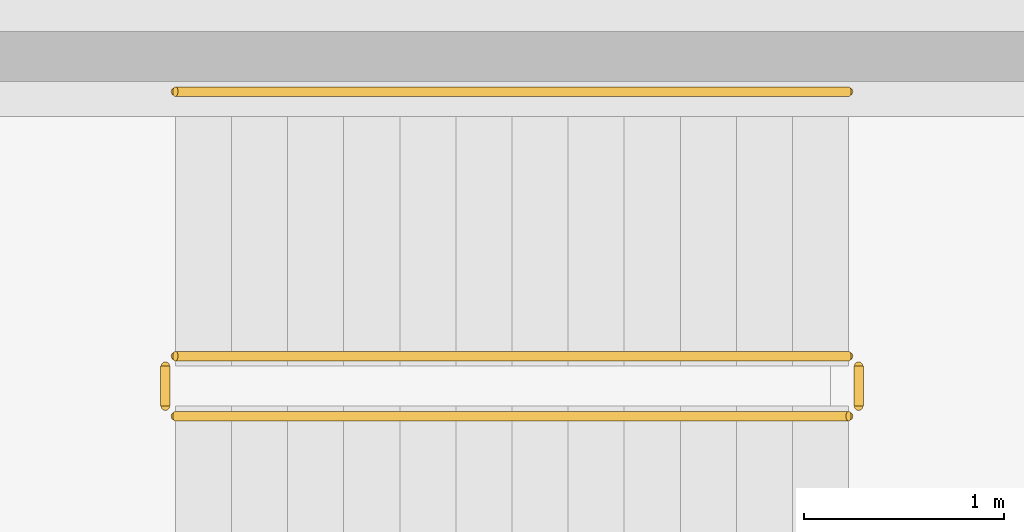
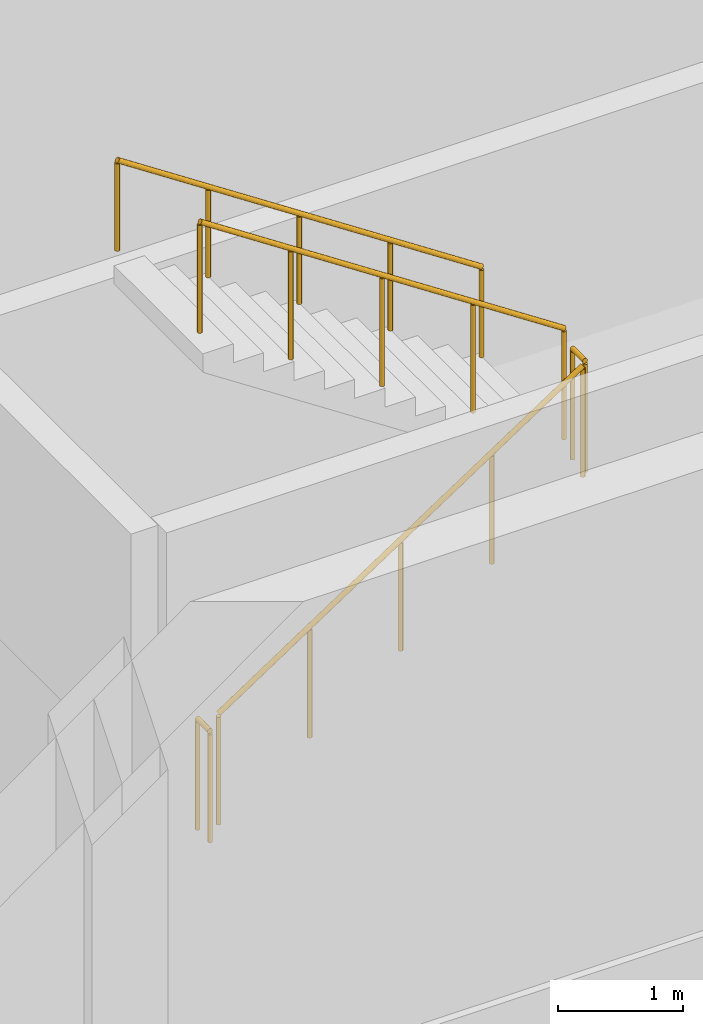
# One storey, part 43 of 50: 5 railings.
"""IFC4 building model written with IfcOpenShell, lengths in metres."""

from ifc_helpers import new_model, si_unit, direction, frame, origin, origin_2d, place, context, subcontext, project, spatial, circle, extrude, material, type_object, element, save


model = new_model("IFC4")

# Units and contexts
model_context = context("Model", 3, precision=1e-05, world=origin(), true_north=direction((0.0, 1.0)))
body_context = subcontext(model_context, "Body", "Model", "MODEL_VIEW")
ifc_project = project(units=[si_unit("LENGTHUNIT", "METRE"), si_unit("AREAUNIT", "SQUARE_METRE"), si_unit("VOLUMEUNIT", "CUBIC_METRE"), si_unit("PLANEANGLEUNIT", "RADIAN"), si_unit("MASSUNIT", "GRAM", prefix="KILO")], contexts=[model_context])

# Site, building, storey
site_placement = place(None, origin())
site = spatial("IfcSite", under=ifc_project, at=site_placement, CompositionType="ELEMENT")
building_placement = place(site_placement, origin())
building = spatial("IfcBuilding", under=site, at=building_placement, Name="Vekula Escarpment Museum", CompositionType="ELEMENT")
storey_placement = place(building_placement, frame((0.0, 0.0, -4.800048828125)))
storey = spatial("IfcBuildingStorey", under=building, at=storey_placement, Name="B1", CompositionType="ELEMENT", Elevation=-4.800048828125)

# Railings
ifc_material_1 = material(Name="Painted Steel S355 stair guard", Category="steel")
railing_type_1 = type_object("IfcRailingType", Name="RL-STAIR-GUARD", PredefinedType="GUARDRAIL", material=ifc_material_1)
railing_1_placement = place(storey_placement, frame((58.6201171875, 55.3701171875, 0.1845703125)))
element("IfcRailing", 1, at=railing_1_placement, inside=storey, type_object=railing_type_1, Name="B1 ST-01 stair guard 1", PredefinedType="GUARDRAIL", context=body_context, shape_type="SweptSolid", body=[
    extrude(circle(Radius=0.02392578125, at=origin_2d()), frame((0.0, 0.0, 1.076171875), z_axis=(0.83483021737, 0.0, 0.550507500554), x_axis=(0.0, 1.0, 0.0)), (0.0, 0.0, 1.0), 4.024658203125),
    extrude(circle(Radius=0.02099609375, at=origin_2d()), origin(), (0.0, 0.0, 1.0), 1.052001953125),
    extrude(circle(Radius=0.02099609375, at=origin_2d()), frame((0.83984375, 0.0, 0.553955078125)), (0.0, 0.0, 1.0), 1.052001953125),
    extrude(circle(Radius=0.02099609375, at=origin_2d()), frame((1.679931640625, 0.0, 1.10791015625)), (0.0, 0.0, 1.0), 1.052001953125),
    extrude(circle(Radius=0.02099609375, at=origin_2d()), frame((2.52001953125, 0.0, 1.66162109375)), (0.0, 0.0, 1.0), 1.052001953125),
    extrude(circle(Radius=0.02099609375, at=origin_2d()), frame((3.35986328125, 0.0, 2.215576171875)), (0.0, 0.0, 1.0), 1.052001953125),
])
railing_2_placement = place(storey_placement, frame((62.030029296875, 55.419921875, 2.400146484375)))
element("IfcRailing", 2, at=railing_2_placement, inside=storey, type_object=railing_type_1, Name="B1 ST-01 stair guard 2", PredefinedType="GUARDRAIL", context=body_context, shape_type="SweptSolid", body=[
    extrude(circle(Radius=0.02392578125, at=origin_2d()), frame((0.0, 0.0, 1.076171875), z_axis=(0.0, 1.0, 0.0), x_axis=(-1.0, 0.0, 0.0)), (0.0, 0.0, 1.0), 0.2001953125),
    extrude(circle(Radius=0.02099609375, at=origin_2d()), origin(), (0.0, 0.0, 1.0), 1.052001953125),
    extrude(circle(Radius=0.02099609375, at=origin_2d()), frame((0.0, 0.2001953125, 0.0)), (0.0, 0.0, 1.0), 1.052001953125),
])
railing_3_placement = place(storey_placement, frame((61.97998046875, 55.669921875, 2.584716796875)))
element("IfcRailing", 3, at=railing_3_placement, inside=storey, type_object=railing_type_1, Name="B1 ST-01 stair guard 3", PredefinedType="GUARDRAIL", context=body_context, shape_type="SweptSolid", body=[
    extrude(circle(Radius=0.02392578125, at=origin_2d()), frame((0.0, 0.0, 1.076171875), z_axis=(-0.834858096282, 0.0, 0.550465220583), x_axis=(0.0, -1.0, 0.0)), (0.0, 0.0, 1.0), 4.0244140625),
    extrude(circle(Radius=0.02099609375, at=origin_2d()), origin(), (0.0, 0.0, 1.0), 1.052001953125),
    extrude(circle(Radius=0.02099609375, at=origin_2d()), frame((-0.83984375, 0.0, 0.5537109375)), (0.0, 0.0, 1.0), 1.052001953125),
    extrude(circle(Radius=0.02099609375, at=origin_2d()), frame((-1.679931640625, 0.0, 1.107666015625)), (0.0, 0.0, 1.0), 1.052001953125),
    extrude(circle(Radius=0.02099609375, at=origin_2d()), frame((-2.52001953125, 0.0, 1.66162109375)), (0.0, 0.0, 1.0), 1.052001953125),
    extrude(circle(Radius=0.02099609375, at=origin_2d()), frame((-3.35986328125, 0.0, 2.21533203125)), (0.0, 0.0, 1.0), 1.052001953125),
])
railing_4_placement = place(storey_placement, frame((58.570068359375, 55.419921875, 0.0)))
element("IfcRailing", 4, at=railing_4_placement, inside=storey, type_object=railing_type_1, Name="B1 ST-01 stair guard 4", PredefinedType="GUARDRAIL", context=body_context, shape_type="SweptSolid", body=[
    extrude(circle(Radius=0.02392578125, at=origin_2d()), frame((0.0, 0.0, 1.076171875), z_axis=(0.0, 1.0, 0.0), x_axis=(-1.0, 0.0, 0.0)), (0.0, 0.0, 1.0), 0.2001953125),
    extrude(circle(Radius=0.02099609375, at=origin_2d()), origin(), (0.0, 0.0, 1.0), 1.052001953125),
    extrude(circle(Radius=0.02099609375, at=origin_2d()), frame((0.0, 0.2001953125, 0.0)), (0.0, 0.0, 1.0), 1.052001953125),
])
ifc_material_2 = material(Name="Brushed stainless steel handrail", Category="steel")
railing_type_2 = type_object("IfcRailingType", Name="RL-STAIR-HAND", PredefinedType="HANDRAIL", material=ifc_material_2)
railing_5_placement = place(storey_placement, frame((61.97998046875, 56.989990234375, 2.584716796875)))
element("IfcRailing", 5, at=railing_5_placement, inside=storey, type_object=railing_type_2, Name="B1 ST-01 stair handrail 2", PredefinedType="HANDRAIL", context=body_context, shape_type="SweptSolid", body=[
    extrude(circle(Radius=0.02392578125, at=origin_2d()), frame((0.0, 0.0, 0.8759765625), z_axis=(-0.834858096282, 0.0, 0.550465220583), x_axis=(0.0, -1.0, 0.0)), (0.0, 0.0, 1.0), 4.0244140625),
    extrude(circle(Radius=0.02099609375, at=origin_2d()), origin(), (0.0, 0.0, 1.0), 0.851806640625),
    extrude(circle(Radius=0.02099609375, at=origin_2d()), frame((-0.83984375, 0.0, 0.5537109375)), (0.0, 0.0, 1.0), 0.851806640625),
    extrude(circle(Radius=0.02099609375, at=origin_2d()), frame((-1.679931640625, 0.0, 1.107666015625)), (0.0, 0.0, 1.0), 0.851806640625),
    extrude(circle(Radius=0.02099609375, at=origin_2d()), frame((-2.52001953125, 0.0, 1.66162109375)), (0.0, 0.0, 1.0), 0.851806640625),
    extrude(circle(Radius=0.02099609375, at=origin_2d()), frame((-3.35986328125, 0.0, 2.21533203125)), (0.0, 0.0, 1.0), 0.851806640625),
])

save(model, "model.ifc")
